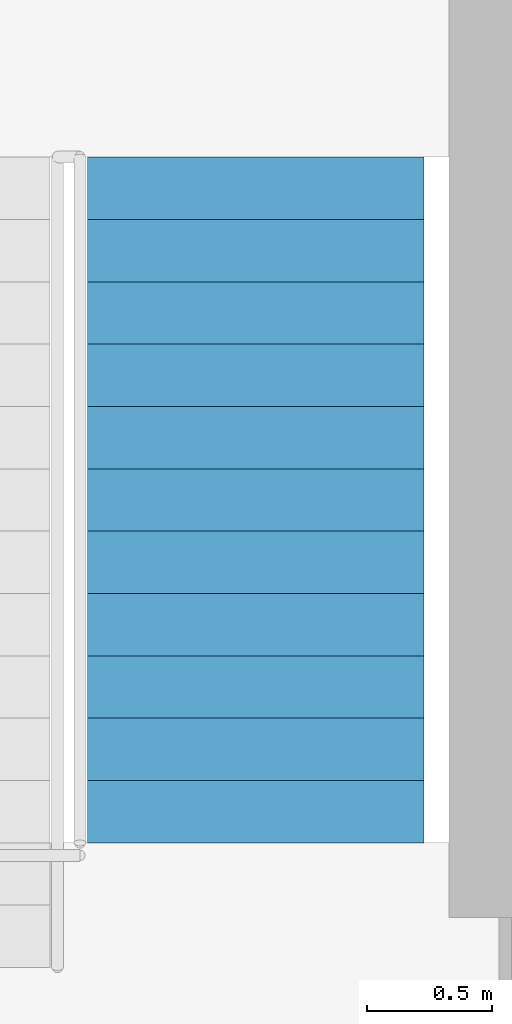
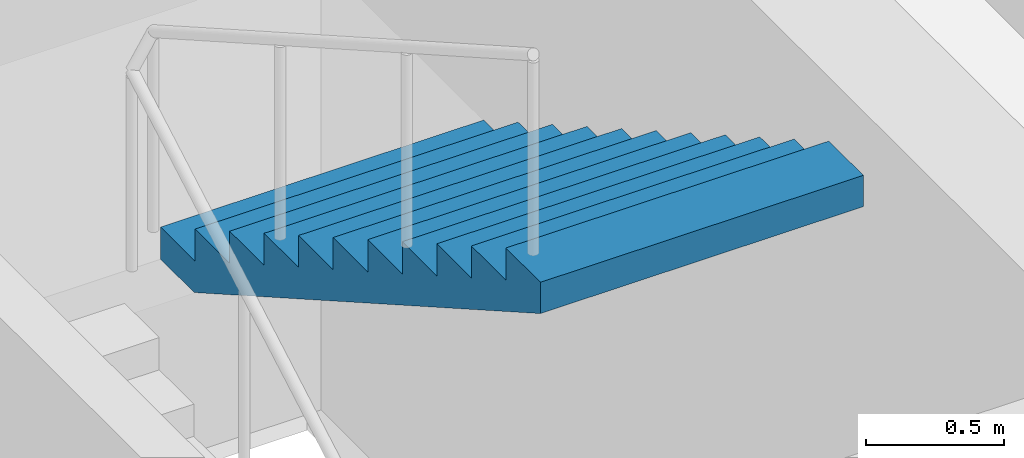
# One storey, part 10 of 11: 1 stair flight, 1 element without a shape of its own.
"""IFC4 building model written with IfcOpenShell, lengths in metres."""

import ifcopenshell
import ifcopenshell.guid

model = None  # the IFC model being written
_history = None  # IfcOwnerHistory: only IFC2X3 demands one
_inside = {}  # id of a spatial element -> (the spatial element, [elements in it])
_under = {}  # id of a project, library or spatial element -> (it, [spatial elements below it])
_declared = {}  # id of a project -> (the project, [libraries it declares])
_typed = {}  # id of a type object -> (the type object, [elements of that type])
_made_of = {}  # id of a material, layer set ... -> (it, [elements and type objects made of it])


def new_model(schema):
    """Start an empty IFC model of exactly this schema.

    Asked for "IFC4X3", IfcOpenShell would pick the latest addendum, in which some entities
    have other attributes; the version numbers below select the first issue.
    IFC2X3 requires an IfcOwnerHistory on every rooted entity: one is made here for all.
    """
    global model, _history
    if schema == "IFC4X3":
        model = ifcopenshell.file(schema_version=(4, 3, 0, 0))
    else:
        model = ifcopenshell.file(schema=schema)
    _inside.clear()
    _under.clear()
    _declared.clear()
    _typed.clear()
    _made_of.clear()
    _history = None
    if model.schema == "IFC2X3":
        org = make("IfcOrganization", Name="unknown")
        user = make(
            "IfcPersonAndOrganization",
            ThePerson=make("IfcPerson", FamilyName="unknown"),
            TheOrganization=org,
        )
        app = make(
            "IfcApplication",
            ApplicationDeveloper=org,
            Version="unknown",
            ApplicationFullName="unknown",
            ApplicationIdentifier="unknown",
        )
        _history = make(
            "IfcOwnerHistory",
            OwningUser=user,
            OwningApplication=app,
            ChangeAction="ADDED",
            CreationDate=0,
        )
    return model


def make(cls, **values):
    """One entity of the class cls with the attributes given. An attribute that is None is left unset."""
    return model.create_entity(
        cls, **{name: value for name, value in values.items() if value is not None}
    )


def rooted(cls, **values):
    """An entity with a GlobalId (a new one), such as an element, a storey or a relation."""
    return make(cls, GlobalId=ifcopenshell.guid.new(), OwnerHistory=_history, **values)


def si_unit(unit_type, name, prefix=None):
    """IfcSIUnit, for example si_unit("LENGTHUNIT", "METRE", prefix="MILLI")."""
    return make("IfcSIUnit", UnitType=unit_type, Prefix=prefix, Name=name)


def assignment(units):
    """IfcUnitAssignment: the units of a project."""
    return None if units is None else make("IfcUnitAssignment", Units=units)


def point(xyz):
    """IfcCartesianPoint."""
    return None if xyz is None else make("IfcCartesianPoint", Coordinates=xyz)


def direction(xyz):
    """IfcDirection."""
    return None if xyz is None else make("IfcDirection", DirectionRatios=xyz)


def frame(location, z_axis=None, x_axis=None):
    """IfcAxis2Placement3D, a coordinate frame: its origin and axes. An axis left out is left unset."""
    return make(
        "IfcAxis2Placement3D",
        Location=point(location),
        Axis=direction(z_axis),
        RefDirection=direction(x_axis),
    )


def origin():
    """The frame at (0, 0, 0) with its axes left unset."""
    return frame((0.0, 0.0, 0.0))


def place(relative_to, where):
    """IfcLocalPlacement: puts the frame where relative to a parent placement (None: the world)."""
    return make(
        "IfcLocalPlacement", PlacementRelTo=relative_to, RelativePlacement=where
    )


def context(
    kind, dimensions, precision=None, world=None, true_north=None, identifier=None
):
    """IfcGeometricRepresentationContext, for example the 3D "Model" context."""
    return make(
        "IfcGeometricRepresentationContext",
        ContextIdentifier=identifier,
        ContextType=kind,
        CoordinateSpaceDimension=dimensions,
        Precision=precision,
        WorldCoordinateSystem=world,
        TrueNorth=true_north,
    )


def subcontext(parent, identifier, kind, view, scale=None):
    """IfcGeometricRepresentationSubContext, for example "Body" below "Model"."""
    return make(
        "IfcGeometricRepresentationSubContext",
        ContextIdentifier=identifier,
        ContextType=kind,
        ParentContext=parent,
        TargetScale=scale,
        TargetView=view,
    )


def project(units=None, contexts=None):
    """IfcProject with its units and contexts."""
    return rooted(
        "IfcProject",
        Name="project",
        RepresentationContexts=contexts,
        UnitsInContext=assignment(units),
    )


def spatial(cls, under=None, at=None, **own):
    """A site, building, storey or space (cls), placed at a placement, below another one or the project."""
    s = rooted(cls, ObjectPlacement=at, **own)
    if under is not None:
        _under.setdefault(under.id(), (under, []))[1].append(s)
    return s


def polyline(points):
    """IfcPolyline through the points."""
    return make("IfcPolyline", Points=[point(p) for p in points])


def outline(outer, holes=None, kind="AREA"):
    """IfcArbitraryClosedProfileDef: a profile drawn as a closed curve; with holes, ...WithVoids."""
    if holes is None:
        return make("IfcArbitraryClosedProfileDef", ProfileType=kind, OuterCurve=outer)
    return make(
        "IfcArbitraryProfileDefWithVoids",
        ProfileType=kind,
        OuterCurve=outer,
        InnerCurves=holes,
    )


def extrude(swept, where, along, depth):
    """IfcExtrudedAreaSolid: the profile swept, set in the frame where, extruded along a direction by depth."""
    return make(
        "IfcExtrudedAreaSolid",
        SweptArea=swept,
        Position=where,
        ExtrudedDirection=direction(along),
        Depth=depth,
    )


def shape(context_of_items, identifier, shape_type, items):
    """IfcShapeRepresentation: the items that make up one representation, for example the "Body"."""
    return make(
        "IfcShapeRepresentation",
        ContextOfItems=context_of_items,
        RepresentationIdentifier=identifier,
        RepresentationType=shape_type,
        Items=items,
    )


def material(Name=None, Category=None):
    """IfcMaterial."""
    return make("IfcMaterial", Name=Name, Category=Category)


def made_of(thing, what):
    """Note that an element or type object is made of a material, layer set ...; save() writes the relation."""
    if what is not None:
        _made_of.setdefault(what.id(), (what, []))[1].append(thing)
    return thing


def type_object(cls, material=None, **own):
    """A type object (cls), such as IfcWallType, which elements share."""
    return made_of(rooted(cls, **own), material)


def element(
    cls,
    number,
    at=None,
    inside=None,
    cuts=None,
    type_object=None,
    material=None,
    context=None,
    identifier="Body",
    shape_type=None,
    held_by="IfcProductDefinitionShape",
    body=None,
    shapes=None,
    **own,
):
    """One element of the class cls, such as IfcWall. Its Tag is "e" and its number.

    at: its placement. inside: the storey or other place that contains it. cuts: it is an
    opening in that element (IfcRelVoidsElement). A single representation is given by context,
    identifier, shape_type and body (its items); several are given by shapes. held_by: the class
    of the entity that holds the representations. save() writes the other relations.
    """
    e = rooted(cls, Tag="e%d" % number, ObjectPlacement=at, **own)
    if body is not None:
        shapes = [shape(context, identifier, shape_type, body)]
    if shapes is not None:
        e.Representation = make(held_by, Representations=shapes)
    if inside is not None:
        _inside.setdefault(inside.id(), (inside, []))[1].append(e)
    if cuts is not None:
        rooted(
            "IfcRelVoidsElement", RelatingBuildingElement=cuts, RelatedOpeningElement=e
        )
    if type_object is not None:
        _typed.setdefault(type_object.id(), (type_object, []))[1].append(e)
    return made_of(e, material)


def aggregate(whole, parts):
    """IfcRelAggregates: a whole, such as a stair, and the parts it consists of."""
    return rooted("IfcRelAggregates", RelatingObject=whole, RelatedObjects=parts)


def save(model, path):
    """Write the relations noted so far, then the file.

    IfcRelAggregates (storeys below a building ...), IfcRelContainedInSpatialStructure (elements
    in a storey), IfcRelDefinesByType, IfcRelAssociatesMaterial and IfcRelDeclares: one each for
    every whole, place, type object, material and project.
    """
    for whole, parts in _under.values():
        aggregate(whole, parts)
    for where, things in _inside.values():
        rooted(
            "IfcRelContainedInSpatialStructure",
            RelatedElements=things,
            RelatingStructure=where,
        )
    for kind, things in _typed.values():
        rooted("IfcRelDefinesByType", RelatedObjects=things, RelatingType=kind)
    for what, things in _made_of.values():
        rooted("IfcRelAssociatesMaterial", RelatedObjects=things, RelatingMaterial=what)
    for by, libraries in _declared.values():
        rooted("IfcRelDeclares", RelatingContext=by, RelatedDefinitions=libraries)
    model.write(path)


model = new_model("IFC4")

# Units and contexts
model_context = context("Model", 3, precision=1e-05, world=origin(), true_north=direction((0.0, 1.0)))
body_context = subcontext(model_context, "Body", "Model", "MODEL_VIEW")
ifc_project = project(units=[si_unit("LENGTHUNIT", "METRE"), si_unit("AREAUNIT", "SQUARE_METRE"), si_unit("VOLUMEUNIT", "CUBIC_METRE"), si_unit("PLANEANGLEUNIT", "RADIAN"), si_unit("MASSUNIT", "GRAM", prefix="KILO")], contexts=[model_context])

# Site, building, storey
site_placement = place(None, origin())
site = spatial("IfcSite", under=ifc_project, at=site_placement, CompositionType="ELEMENT")
building_placement = place(site_placement, origin())
building = spatial("IfcBuilding", under=site, at=building_placement, Name="Quoin Convention Tower", CompositionType="ELEMENT")
storey_placement = place(building_placement, frame((0.0, 0.0, 93.699951171875)))
storey = spatial("IfcBuildingStorey", under=building, at=storey_placement, Name="L24", CompositionType="ELEMENT", Elevation=93.699951171875)

# Stair, stair flight
ifc_material = material(Name="Concrete C40", Category="concrete")
stair_type = type_object("IfcStairType", Name="Exit stair two-flight 1350", PredefinedType="HALF_TURN_STAIR", material=ifc_material)
stair_placement = place(storey_placement, origin())
stair = element("IfcStair", 1, at=stair_placement, inside=storey, type_object=stair_type, Name="SD2 L24", PredefinedType="HALF_TURN_STAIR")
stair_flight_type = type_object("IfcStairFlightType", Name="Stair flight 1350", PredefinedType="STRAIGHT", material=ifc_material)
stair_flight_placement = place(storey_placement, frame((66.27490234375, 60.550048828125, 1.992431640625), z_axis=(0.0, 0.0, 1.0), x_axis=(0.0, -1.0, 0.0)))
stair_flight = element("IfcStairFlight", 2, at=stair_flight_placement, type_object=stair_flight_type, Name="ST2 flight 2", NumberOfRisers=12, NumberOfTreads=11, PredefinedType="STRAIGHT", RiserHeight=0.142307692, TreadLength=0.25, context=body_context, shape_type="SweptSolid", body=[
    extrude(outline(polyline([(0.0, 0.0), (0.0, 0.142333984375), (0.25, 0.142333984375), (0.25, 0.28466796875), (0.5, 0.28466796875), (0.5, 0.427001953125), (0.75, 0.427001953125), (0.75, 0.5693359375), (1.0, 0.5693359375), (1.0, 0.71142578125), (1.25, 0.71142578125), (1.25, 0.853759765625), (1.5, 0.853759765625), (1.5, 0.99609375), (1.75, 0.99609375), (1.75, 1.138427734375), (2.0, 1.138427734375), (2.0, 1.28076171875), (2.25, 1.28076171875), (2.25, 1.423095703125), (2.5, 1.423095703125), (2.5, 1.5654296875), (2.75, 1.5654296875), (2.75, 1.707763671875), (2.75, 1.42724609375), (0.242919921875, 0.0), (0.0, 0.0)])), frame((0.0, 0.675048828125, 0.0), z_axis=(0.0, -1.0, 0.0), x_axis=(1.0, 0.0, 0.0)), (0.0, 0.0, 1.0), 1.35009765625),
])
aggregate(stair, [stair_flight])

save(model, "model.ifc")
